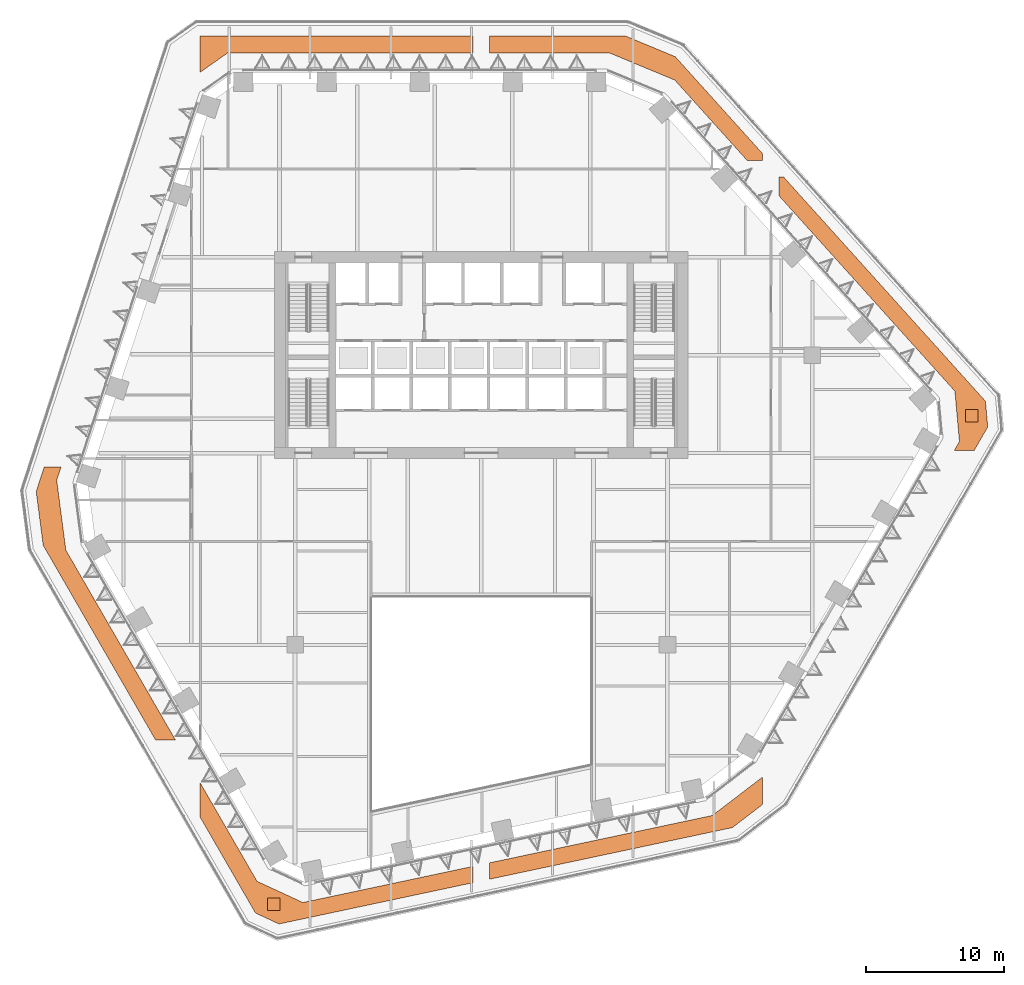
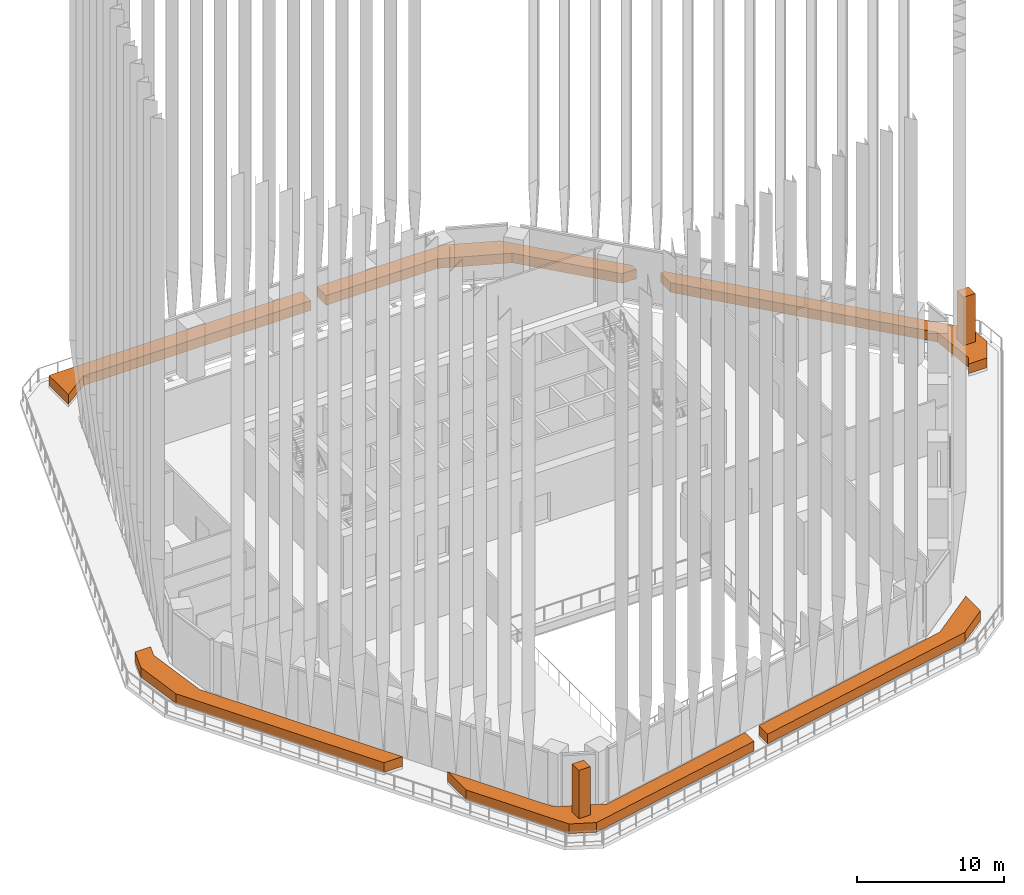
# One storey, part 27 of 27: 6 proxies, 2 geographic elements.
"""IFC4 building model written with IfcOpenShell, lengths in metres."""

import ifcopenshell
import ifcopenshell.guid

model = None  # the IFC model being written
_history = None  # IfcOwnerHistory: only IFC2X3 demands one
_inside = {}  # id of a spatial element -> (the spatial element, [elements in it])
_under = {}  # id of a project, library or spatial element -> (it, [spatial elements below it])
_declared = {}  # id of a project -> (the project, [libraries it declares])
_typed = {}  # id of a type object -> (the type object, [elements of that type])
_made_of = {}  # id of a material, layer set ... -> (it, [elements and type objects made of it])


def new_model(schema):
    """Start an empty IFC model of exactly this schema.

    Asked for "IFC4X3", IfcOpenShell would pick the latest addendum, in which some entities
    have other attributes; the version numbers below select the first issue.
    IFC2X3 requires an IfcOwnerHistory on every rooted entity: one is made here for all.
    """
    global model, _history
    if schema == "IFC4X3":
        model = ifcopenshell.file(schema_version=(4, 3, 0, 0))
    else:
        model = ifcopenshell.file(schema=schema)
    _inside.clear()
    _under.clear()
    _declared.clear()
    _typed.clear()
    _made_of.clear()
    _history = None
    if model.schema == "IFC2X3":
        org = make("IfcOrganization", Name="unknown")
        user = make(
            "IfcPersonAndOrganization",
            ThePerson=make("IfcPerson", FamilyName="unknown"),
            TheOrganization=org,
        )
        app = make(
            "IfcApplication",
            ApplicationDeveloper=org,
            Version="unknown",
            ApplicationFullName="unknown",
            ApplicationIdentifier="unknown",
        )
        _history = make(
            "IfcOwnerHistory",
            OwningUser=user,
            OwningApplication=app,
            ChangeAction="ADDED",
            CreationDate=0,
        )
    return model


def make(cls, **values):
    """One entity of the class cls with the attributes given. An attribute that is None is left unset."""
    return model.create_entity(
        cls, **{name: value for name, value in values.items() if value is not None}
    )


def rooted(cls, **values):
    """An entity with a GlobalId (a new one), such as an element, a storey or a relation."""
    return make(cls, GlobalId=ifcopenshell.guid.new(), OwnerHistory=_history, **values)


def si_unit(unit_type, name, prefix=None):
    """IfcSIUnit, for example si_unit("LENGTHUNIT", "METRE", prefix="MILLI")."""
    return make("IfcSIUnit", UnitType=unit_type, Prefix=prefix, Name=name)


def assignment(units):
    """IfcUnitAssignment: the units of a project."""
    return None if units is None else make("IfcUnitAssignment", Units=units)


def point(xyz):
    """IfcCartesianPoint."""
    return None if xyz is None else make("IfcCartesianPoint", Coordinates=xyz)


def direction(xyz):
    """IfcDirection."""
    return None if xyz is None else make("IfcDirection", DirectionRatios=xyz)


def frame(location, z_axis=None, x_axis=None):
    """IfcAxis2Placement3D, a coordinate frame: its origin and axes. An axis left out is left unset."""
    return make(
        "IfcAxis2Placement3D",
        Location=point(location),
        Axis=direction(z_axis),
        RefDirection=direction(x_axis),
    )


def frame_2d(location, x_axis=None):
    """IfcAxis2Placement2D, a coordinate frame in the plane: its origin and x axis."""
    return make(
        "IfcAxis2Placement2D", Location=point(location), RefDirection=direction(x_axis)
    )


def origin():
    """The frame at (0, 0, 0) with its axes left unset."""
    return frame((0.0, 0.0, 0.0))


def origin_2d():
    """The frame at (0, 0) in the plane with its x axis left unset."""
    return frame_2d((0.0, 0.0))


def place(relative_to, where):
    """IfcLocalPlacement: puts the frame where relative to a parent placement (None: the world)."""
    return make(
        "IfcLocalPlacement", PlacementRelTo=relative_to, RelativePlacement=where
    )


def context(
    kind, dimensions, precision=None, world=None, true_north=None, identifier=None
):
    """IfcGeometricRepresentationContext, for example the 3D "Model" context."""
    return make(
        "IfcGeometricRepresentationContext",
        ContextIdentifier=identifier,
        ContextType=kind,
        CoordinateSpaceDimension=dimensions,
        Precision=precision,
        WorldCoordinateSystem=world,
        TrueNorth=true_north,
    )


def subcontext(parent, identifier, kind, view, scale=None):
    """IfcGeometricRepresentationSubContext, for example "Body" below "Model"."""
    return make(
        "IfcGeometricRepresentationSubContext",
        ContextIdentifier=identifier,
        ContextType=kind,
        ParentContext=parent,
        TargetScale=scale,
        TargetView=view,
    )


def project(units=None, contexts=None):
    """IfcProject with its units and contexts."""
    return rooted(
        "IfcProject",
        Name="project",
        RepresentationContexts=contexts,
        UnitsInContext=assignment(units),
    )


def spatial(cls, under=None, at=None, **own):
    """A site, building, storey or space (cls), placed at a placement, below another one or the project."""
    s = rooted(cls, ObjectPlacement=at, **own)
    if under is not None:
        _under.setdefault(under.id(), (under, []))[1].append(s)
    return s


def polyline(points):
    """IfcPolyline through the points."""
    return make("IfcPolyline", Points=[point(p) for p in points])


def profile(cls, at=None, kind="AREA", **sizes):
    """A parametric profile (cls). Its sizes go by their IFC names, for example OverallWidth=200.0."""
    return make(cls, ProfileType=kind, Position=at, **sizes)


def rectangle(**sizes):
    """IfcRectangleProfileDef."""
    return profile("IfcRectangleProfileDef", **sizes)


def outline(outer, holes=None, kind="AREA"):
    """IfcArbitraryClosedProfileDef: a profile drawn as a closed curve; with holes, ...WithVoids."""
    if holes is None:
        return make("IfcArbitraryClosedProfileDef", ProfileType=kind, OuterCurve=outer)
    return make(
        "IfcArbitraryProfileDefWithVoids",
        ProfileType=kind,
        OuterCurve=outer,
        InnerCurves=holes,
    )


def extrude(swept, where, along, depth):
    """IfcExtrudedAreaSolid: the profile swept, set in the frame where, extruded along a direction by depth."""
    return make(
        "IfcExtrudedAreaSolid",
        SweptArea=swept,
        Position=where,
        ExtrudedDirection=direction(along),
        Depth=depth,
    )


def shape(context_of_items, identifier, shape_type, items):
    """IfcShapeRepresentation: the items that make up one representation, for example the "Body"."""
    return make(
        "IfcShapeRepresentation",
        ContextOfItems=context_of_items,
        RepresentationIdentifier=identifier,
        RepresentationType=shape_type,
        Items=items,
    )


def material(Name=None, Category=None):
    """IfcMaterial."""
    return make("IfcMaterial", Name=Name, Category=Category)


def made_of(thing, what):
    """Note that an element or type object is made of a material, layer set ...; save() writes the relation."""
    if what is not None:
        _made_of.setdefault(what.id(), (what, []))[1].append(thing)
    return thing


def type_object(cls, material=None, **own):
    """A type object (cls), such as IfcWallType, which elements share."""
    return made_of(rooted(cls, **own), material)


def element(
    cls,
    number,
    at=None,
    inside=None,
    cuts=None,
    type_object=None,
    material=None,
    context=None,
    identifier="Body",
    shape_type=None,
    held_by="IfcProductDefinitionShape",
    body=None,
    shapes=None,
    **own,
):
    """One element of the class cls, such as IfcWall. Its Tag is "e" and its number.

    at: its placement. inside: the storey or other place that contains it. cuts: it is an
    opening in that element (IfcRelVoidsElement). A single representation is given by context,
    identifier, shape_type and body (its items); several are given by shapes. held_by: the class
    of the entity that holds the representations. save() writes the other relations.
    """
    e = rooted(cls, Tag="e%d" % number, ObjectPlacement=at, **own)
    if body is not None:
        shapes = [shape(context, identifier, shape_type, body)]
    if shapes is not None:
        e.Representation = make(held_by, Representations=shapes)
    if inside is not None:
        _inside.setdefault(inside.id(), (inside, []))[1].append(e)
    if cuts is not None:
        rooted(
            "IfcRelVoidsElement", RelatingBuildingElement=cuts, RelatedOpeningElement=e
        )
    if type_object is not None:
        _typed.setdefault(type_object.id(), (type_object, []))[1].append(e)
    return made_of(e, material)


def aggregate(whole, parts):
    """IfcRelAggregates: a whole, such as a stair, and the parts it consists of."""
    return rooted("IfcRelAggregates", RelatingObject=whole, RelatedObjects=parts)


def save(model, path):
    """Write the relations noted so far, then the file.

    IfcRelAggregates (storeys below a building ...), IfcRelContainedInSpatialStructure (elements
    in a storey), IfcRelDefinesByType, IfcRelAssociatesMaterial and IfcRelDeclares: one each for
    every whole, place, type object, material and project.
    """
    for whole, parts in _under.values():
        aggregate(whole, parts)
    for where, things in _inside.values():
        rooted(
            "IfcRelContainedInSpatialStructure",
            RelatedElements=things,
            RelatingStructure=where,
        )
    for kind, things in _typed.values():
        rooted("IfcRelDefinesByType", RelatedObjects=things, RelatingType=kind)
    for what, things in _made_of.values():
        rooted("IfcRelAssociatesMaterial", RelatedObjects=things, RelatingMaterial=what)
    for by, libraries in _declared.values():
        rooted("IfcRelDeclares", RelatingContext=by, RelatedDefinitions=libraries)
    model.write(path)


model = new_model("IFC4")

# Units and contexts
model_context = context("Model", 3, precision=1e-05, world=origin(), true_north=direction((0.0, 1.0)))
body_context = subcontext(model_context, "Body", "Model", "MODEL_VIEW")
ifc_project = project(units=[si_unit("LENGTHUNIT", "METRE"), si_unit("AREAUNIT", "SQUARE_METRE"), si_unit("VOLUMEUNIT", "CUBIC_METRE"), si_unit("PLANEANGLEUNIT", "RADIAN"), si_unit("MASSUNIT", "GRAM", prefix="KILO")], contexts=[model_context])

# Site, building, storey
site_placement = place(None, origin())
site = spatial("IfcSite", under=ifc_project, at=site_placement, CompositionType="ELEMENT")
building_placement = place(site_placement, origin())
building = spatial("IfcBuilding", under=site, at=building_placement, Name="Isthmus Gate Tower", CompositionType="ELEMENT")
storey_placement = place(building_placement, frame((0.0, 0.0, 121.64990234375)))
storey = spatial("IfcBuildingStorey", under=building, at=storey_placement, Name="L29", CompositionType="ELEMENT", Elevation=121.64990234375)

# Geographic elements
ifc_material_1 = material(Name="Plant material, broadleaf tree")
geographic_element_type = type_object("IfcGeographicElementType", Name="BROADLEAF TREE 4000 HIGH", PredefinedType="USERDEFINED", material=ifc_material_1)
for number, where, z_axis, x_axis, name in (
    (1, (-15.03369140625, -32.2958984375, 1.050048828125), (0.0, 0.0, 1.0), (1.0, 0.0, 0.0), "TREE"),
    (2, (35.554443359375, 3.107666015625, 1.050048828125), (0.0, 0.0, 1.0), (1.0, 0.0, 0.0), "TREE"),
):
    element("IfcGeographicElement", number, at=place(storey_placement, frame(where, z_axis=z_axis, x_axis=x_axis)), inside=storey, type_object=geographic_element_type, Name=name, ObjectType="TREE", PredefinedType="USERDEFINED", context=body_context, shape_type="SweptSolid", body=[
        extrude(rectangle(XDim=0.89990234375, YDim=0.89990234375, at=origin_2d()), origin(), (0.0, 0.0, 1.0), 4.0),
    ])

# Proxies
ifc_material_2 = material(Name="Concrete f'c 40 MPa", Category="concrete")
building_element_proxy_type = type_object("IfcBuildingElementProxyType", Name="STRUCTURAL CONCRETE PLANTER 800 DEEP", PredefinedType="USERDEFINED", material=ifc_material_2)
proxy_1_placement = place(storey_placement, frame((0.0, 0.0, 0.25)))
element("IfcBuildingElementProxy", 3, at=proxy_1_placement, inside=storey, type_object=building_element_proxy_type, Name="PLANTER", ObjectType="PLANTER", PredefinedType="USERDEFINED", context=body_context, shape_type="SweptSolid", body=[
    extrude(outline(polyline([(-30.464599609375, -0.60009765625), (-31.68701171875, -0.60009765625), (-32.26806640625, -2.388427734375), (-31.759765625, -6.290283203125), (-23.613525390625, -20.39990234375), (-22.170166015625, -20.39990234375), (-30.1201171875, -6.63037109375), (-30.779541015625, -1.569091796875), (-30.464599609375, -0.60009765625)])), origin(), (0.0, 0.0, 1.0), 0.800048828125),
])
proxy_2_placement = place(storey_placement, frame((0.0, 0.0, 0.25)))
element("IfcBuildingElementProxy", 4, at=proxy_2_placement, inside=storey, type_object=building_element_proxy_type, Name="PLANTER", ObjectType="PLANTER", PredefinedType="USERDEFINED", context=body_context, shape_type="SweptSolid", body=[
    extrude(outline(polyline([(-0.60009765625, -30.747314453125), (-0.60009765625, -29.558837890625), (-12.93408203125, -32.180419921875), (-16.258544921875, -30.639404296875), (-20.39990234375, -23.466064453125), (-20.39990234375, -25.966064453125), (-16.369140625, -32.94775390625), (-14.666015625, -33.7373046875), (-0.60009765625, -30.747314453125)])), origin(), (0.0, 0.0, 1.0), 0.800048828125),
])
proxy_3_placement = place(storey_placement, frame((0.0, 0.0, 0.25)))
element("IfcBuildingElementProxy", 5, at=proxy_3_placement, inside=storey, type_object=building_element_proxy_type, Name="PLANTER", ObjectType="PLANTER", PredefinedType="USERDEFINED", context=body_context, shape_type="SweptSolid", body=[
    extrude(outline(polyline([(-0.60009765625, 29.39990234375), (-0.60009765625, 30.64990234375), (-20.348876953125, 30.64990234375), (-20.39990234375, 30.614013671875), (-20.39990234375, 27.99658203125), (-18.405029296875, 29.39990234375), (-0.60009765625, 29.39990234375)])), origin(), (0.0, 0.0, 1.0), 0.800048828125),
])
proxy_4_placement = place(storey_placement, frame((0.0, 0.0, 0.25)))
element("IfcBuildingElementProxy", 6, at=proxy_4_placement, inside=storey, type_object=building_element_proxy_type, Name="PLANTER", ObjectType="PLANTER", PredefinedType="USERDEFINED", context=body_context, shape_type="SweptSolid", body=[
    extrude(outline(polyline([(20.39990234375, 21.60009765625), (20.39990234375, 22.104248046875), (14.065673828125, 29.13916015625), (10.432373046875, 30.64990234375), (0.60009765625, 30.64990234375), (0.60009765625, 29.39990234375), (9.318115234375, 29.39990234375), (14.031005859375, 27.440185546875), (19.28955078125, 21.60009765625), (20.39990234375, 21.60009765625)])), origin(), (0.0, 0.0, 1.0), 0.800048828125),
])
proxy_5_placement = place(storey_placement, frame((0.0, 0.0, 0.25)))
element("IfcBuildingElementProxy", 7, at=proxy_5_placement, inside=storey, type_object=building_element_proxy_type, Name="PLANTER", ObjectType="PLANTER", PredefinedType="USERDEFINED", context=body_context, shape_type="SweptSolid", body=[
    extrude(outline(polyline([(20.39990234375, -25.0693359375), (20.39990234375, -23.077392578125), (16.74853515625, -25.871337890625), (0.60009765625, -29.3037109375), (0.60009765625, -30.4921875), (18.202392578125, -26.750732421875), (20.39990234375, -25.0693359375)])), origin(), (0.0, 0.0, 1.0), 0.800048828125),
])
proxy_6_placement = place(storey_placement, frame((0.0, 0.0, 0.25)))
element("IfcBuildingElementProxy", 8, at=proxy_6_placement, inside=storey, type_object=building_element_proxy_type, Name="PLANTER", ObjectType="PLANTER", PredefinedType="USERDEFINED", context=body_context, shape_type="SweptSolid", body=[
    extrude(outline(polyline([(21.60009765625, 20.39990234375), (21.60009765625, 19.033935546875), (34.336181640625, 4.88916015625), (34.663818359375, 1.2392578125), (34.294677734375, 0.60009765625), (35.738037109375, 0.60009765625), (36.718017578125, 2.297607421875), (36.55029296875, 4.16748046875), (21.934326171875, 20.39990234375), (21.60009765625, 20.39990234375)])), origin(), (0.0, 0.0, 1.0), 0.800048828125),
])

save(model, "model.ifc")
